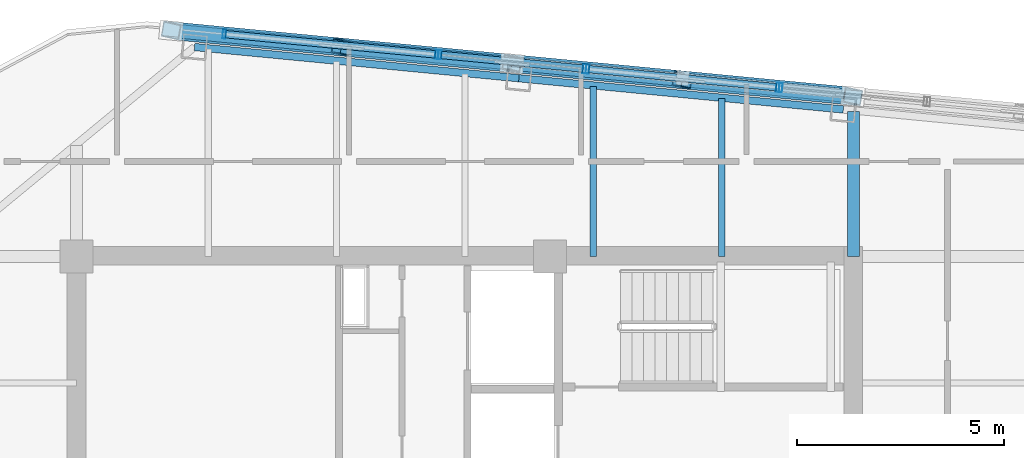
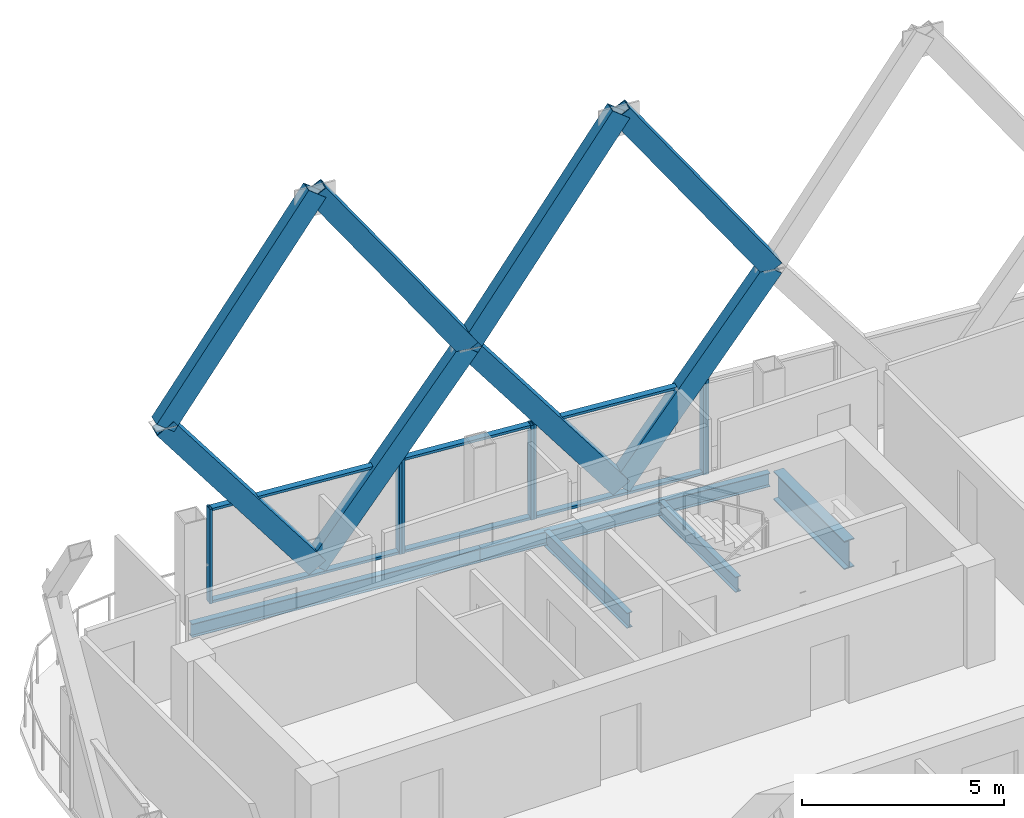
# One storey, part 16 of 25: 21 members, 5 beams, 4 elements without a shape of their own.
"""IFC4 building model written with IfcOpenShell, lengths in metres."""

from ifc_helpers import new_model, si_unit, direction, frame, origin, origin_2d, place, context, subcontext, project, spatial, hollow_rectangle, i_section, extrude, material, layer, layer_set, material_profile, profile_set, type_object, element, aggregate, save


model = new_model("IFC4")

# Units and contexts
model_context = context("Model", 3, precision=1e-05, world=origin(), true_north=direction((0.0, 1.0)))
body_context = subcontext(model_context, "Body", "Model", "MODEL_VIEW")
ifc_project = project(units=[si_unit("LENGTHUNIT", "METRE"), si_unit("AREAUNIT", "SQUARE_METRE"), si_unit("VOLUMEUNIT", "CUBIC_METRE"), si_unit("PLANEANGLEUNIT", "RADIAN"), si_unit("MASSUNIT", "GRAM", prefix="KILO")], contexts=[model_context])

# Site, building, storey
site_placement = place(None, origin())
site = spatial("IfcSite", under=ifc_project, at=site_placement, CompositionType="ELEMENT")
building_placement = place(site_placement, origin())
building = spatial("IfcBuilding", under=site, at=building_placement, Name="Qhalaya Broadcast Tower", CompositionType="ELEMENT")
storey_placement = place(building_placement, frame((0.0, 0.0, 255.050048828125)))
storey = spatial("IfcBuildingStorey", under=building, at=storey_placement, Name="L75", CompositionType="ELEMENT", Elevation=255.050048828125)

# Beams
ifc_material_1 = material(Name="Structural Steel ASTM A992 Grade 50", Category="steel")
ifc_material_profile_1 = material_profile(ifc_material_1, i_section(OverallWidth=0.154052734375, OverallDepth=0.458984375, WebThickness=0.009033203125, FlangeThickness=0.015380859375, at=origin_2d()), Name="W18X46")
ifc_profile_set_1 = profile_set([ifc_material_profile_1], Name="Structural Steel ASTM A992 Grade 50")
beam_type_1 = type_object("IfcBeamType", Name="Composite Floor Joist J04", PredefinedType="JOIST", material=ifc_profile_set_1)
beam_1_placement = place(storey_placement, frame((3.10009765625, 9.949951171875, -0.41943359375), z_axis=(0.0, 1.0, 0.0), x_axis=(-1.0, 0.0, 0.0)))
element("IfcBeam", 1, at=beam_1_placement, inside=storey, type_object=beam_type_1, Name="L75 J04 L75-JNN4-1", PredefinedType="JOIST", context=body_context, shape_type="SweptSolid", body=[
    extrude(i_section(OverallWidth=0.154052734375, OverallDepth=0.458984375, WebThickness=0.009033203125, FlangeThickness=0.015380859375, at=origin_2d()), origin(), (0.0, 0.0, 1.0), 4.11328125),
])
beam_2_placement = place(storey_placement, frame((6.199951171875, 9.949951171875, -0.41943359375), z_axis=(0.0, 1.0, 0.0), x_axis=(-1.0, 0.0, 0.0)))
element("IfcBeam", 2, at=beam_2_placement, inside=storey, type_object=beam_type_1, Name="L75 J04 L75-JNN5-1", PredefinedType="JOIST", context=body_context, shape_type="SweptSolid", body=[
    extrude(i_section(OverallWidth=0.154052734375, OverallDepth=0.458984375, WebThickness=0.009033203125, FlangeThickness=0.015380859375, at=origin_2d()), origin(), (0.0, 0.0, 1.0), 3.814697265625),
])

# Members
ifc_material_2 = material(Name="Structural Steel ASTM A572 Grade 50", Category="steel")
ifc_material_profile_2 = material_profile(ifc_material_2, hollow_rectangle(XDim=0.3798828125, YDim=0.550048828125, WallThickness=0.02490234375, at=origin_2d()), Name="BOX 380x550x25")
ifc_profile_set_2 = profile_set([ifc_material_profile_2], Name="Structural Steel ASTM A572 Grade 50")
member_type_1 = type_object("IfcMemberType", Name="Exoskeleton Diamond Diagonal Upper EX4", PredefinedType="BRACE", material=ifc_profile_set_2)
for number, where, z_axis, x_axis, name in (
    (3, (5.25, 14.218017578125, 0.35986328125), (0.605362942159, -0.058301925892, 0.793811434597), (0.171157163881, 0.983517925101, -0.058289932722), "B6 Exoskeleton Diamond Brace N2-D1"),
    (4, (5.25, 14.218017578125, 0.35986328125), (-0.605386966932, 0.058264858504, 0.793795834288), (-0.171092283677, -0.983529098038, -0.058291884324), "B6 Exoskeleton Diamond Brace N2-D2"),
):
    element("IfcMember", number, at=place(storey_placement, frame(where, z_axis=z_axis, x_axis=x_axis)), inside=storey, type_object=member_type_1, Name=name, PredefinedType="BRACE", context=body_context, shape_type="SweptSolid", body=[
        extrude(hollow_rectangle(XDim=0.3798828125, YDim=0.550048828125, WallThickness=0.02490234375, at=origin_2d()), origin(), (0.0, 0.0, 1.0), 6.79638671875),
    ])
for number, where, z_axis, x_axis, name in (
    (5, (9.3642578125, 13.82177734375, 5.7548828125), (-0.572753444041, 0.055161336321, 0.817869622443), (-0.173452418829, -0.983296871293, -0.055149989195), "B6 Exoskeleton Diamond Brace N2-D3"),
    (6, (1.135498046875, 14.614013671875, 5.7548828125), (0.572777354699, -0.055126379239, 0.81785523429), (0.173387668513, 0.983308181038, -0.055151949294), "B6 Exoskeleton Diamond Brace N2-D4"),
):
    element("IfcMember", number, at=place(storey_placement, frame(where, z_axis=z_axis, x_axis=x_axis)), inside=storey, type_object=member_type_1, Name=name, PredefinedType="BRACE", context=body_context, shape_type="SweptSolid", body=[
        extrude(hollow_rectangle(XDim=0.3798828125, YDim=0.550048828125, WallThickness=0.02490234375, at=origin_2d()), origin(), (0.0, 0.0, 1.0), 7.183349609375),
    ])
for number, where, z_axis, x_axis, name in (
    (7, (-2.978759765625, 15.01025390625, 0.35986328125), (0.605362942159, -0.058301925892, 0.793811434597), (0.171157163881, 0.983517925101, -0.058289932722), "B6 Exoskeleton Diamond Brace N3-D1"),
    (8, (-2.978759765625, 15.01025390625, 0.35986328125), (-0.605362942159, 0.058301925892, 0.793811434597), (-0.171157163881, -0.983517925101, -0.058289932722), "B6 Exoskeleton Diamond Brace N3-D2"),
):
    element("IfcMember", number, at=place(storey_placement, frame(where, z_axis=z_axis, x_axis=x_axis)), inside=storey, type_object=member_type_1, Name=name, PredefinedType="BRACE", context=body_context, shape_type="SweptSolid", body=[
        extrude(hollow_rectangle(XDim=0.3798828125, YDim=0.550048828125, WallThickness=0.02490234375, at=origin_2d()), origin(), (0.0, 0.0, 1.0), 6.79638671875),
    ])
for number, where, z_axis, x_axis, name in (
    (9, (1.135498046875, 14.614013671875, 5.7548828125), (-0.572753444041, 0.055161336321, 0.817869622443), (-0.173452418829, -0.983296871293, -0.055149989195), "B6 Exoskeleton Diamond Brace N3-D3"),
    (10, (-7.093017578125, 15.406494140625, 5.7548828125), (0.572753444041, -0.055161336321, 0.817869622443), (0.173452418829, 0.983296871293, -0.055149989195), "B6 Exoskeleton Diamond Brace N3-D4"),
):
    element("IfcMember", number, at=place(storey_placement, frame(where, z_axis=z_axis, x_axis=x_axis)), inside=storey, type_object=member_type_1, Name=name, PredefinedType="BRACE", context=body_context, shape_type="SweptSolid", body=[
        extrude(hollow_rectangle(XDim=0.3798828125, YDim=0.550048828125, WallThickness=0.02490234375, at=origin_2d()), origin(), (0.0, 0.0, 1.0), 7.183349609375),
    ])

# Curtain wall, member
ifc_material_3 = material(Name="Solar-Control Low-E Triple Glazing", Category="glass")
ifc_layer_1 = layer(ifc_material_3, 0.219970703125, Name="Solar-Control Low-E Triple Glazing")
ifc_layer_set_1 = layer_set([ifc_layer_1], Name="Solar-Control Low-E Triple Glazing")
curtain_wall_type_1 = type_object("IfcCurtainWallType", Name="High-Altitude Upper-Shaft Triple Low-E Curtain Wall CW-04", PredefinedType="NOTDEFINED", material=ifc_layer_set_1)
curtain_wall_1_placement = place(storey_placement, origin())
curtain_wall_1 = element("IfcCurtainWall", 11, at=curtain_wall_1_placement, inside=storey, type_object=curtain_wall_type_1, Name="L75 Unitised Curtain Wall L75-CW-N2", PredefinedType="NOTDEFINED")
ifc_material_4 = material(Name="Anodised Aluminium 6063-T6", Category="aluminium")
ifc_material_profile_3 = material_profile(ifc_material_4, hollow_rectangle(XDim=0.074951171875, YDim=0.219970703125, WallThickness=0.00390625, at=origin_2d()), Name="ALU-MUL 75x220x4")
ifc_profile_set_3 = profile_set([ifc_material_profile_3], Name="Anodised Aluminium 6063-T6")
member_type_2 = type_object("IfcMemberType", Name="Unitised Curtain-Wall Mullion M01", PredefinedType="MULLION", material=ifc_profile_set_3)
member_1_placement = place(storey_placement, frame((7.623291015625, 14.029541015625, 0.0), z_axis=(0.0, 0.0, 1.0), x_axis=(-0.995397049282, 0.095836915023, 0.0)))
member_1 = element("IfcMember", 12, at=member_1_placement, type_object=member_type_2, Name="CW-04 mullion 2", PredefinedType="MULLION", context=body_context, shape_type="SweptSolid", body=[
    extrude(hollow_rectangle(XDim=0.074951171875, YDim=0.219970703125, WallThickness=0.00390625, at=origin_2d()), origin(), (0.0, 0.0, 1.0), 2.85986328125),
])
aggregate(curtain_wall_1, [member_1])

# Curtain wall, members
ifc_material_5 = material(Name="Fired Architectural Terracotta", Category="masonry")
ifc_layer_2 = layer(ifc_material_5, 0.219970703125, Name="Fired Architectural Terracotta")
ifc_layer_set_2 = layer_set([ifc_layer_2], Name="Fired Architectural Terracotta")
curtain_wall_type_2 = type_object("IfcCurtainWallType", Name="Block-Cap Unitised Terracotta Spandrel Wall CW-07", PredefinedType="NOTDEFINED", material=ifc_layer_set_2)
curtain_wall_2_placement = place(storey_placement, origin())
curtain_wall_2 = element("IfcCurtainWall", 13, at=curtain_wall_2_placement, inside=storey, type_object=curtain_wall_type_2, Name="L75 Unitised Curtain Wall L75-CW-N3", PredefinedType="NOTDEFINED")
member_2_placement = place(storey_placement, frame((7.548583984375, 14.03662109375, 0.0), z_axis=(0.0, 0.0, 1.0), x_axis=(-0.995394786046, 0.095860418903, 0.0)))
member_2 = element("IfcMember", 14, at=member_2_placement, type_object=member_type_2, Name="CW-07 mullion 1", PredefinedType="MULLION", context=body_context, shape_type="SweptSolid", body=[
    extrude(hollow_rectangle(XDim=0.074951171875, YDim=0.219970703125, WallThickness=0.00390625, at=origin_2d()), origin(), (0.0, 0.0, 1.0), 2.85986328125),
])
member_3_placement = place(storey_placement, frame((2.958740234375, 14.478759765625, 0.0), z_axis=(0.0, 0.0, 1.0), x_axis=(-0.995394786046, 0.095860418903, 0.0)))
member_3 = element("IfcMember", 15, at=member_3_placement, type_object=member_type_2, Name="CW-07 mullion 2", PredefinedType="MULLION", context=body_context, shape_type="SweptSolid", body=[
    extrude(hollow_rectangle(XDim=0.074951171875, YDim=0.219970703125, WallThickness=0.00390625, at=origin_2d()), origin(), (0.0, 0.0, 1.0), 2.85986328125),
])

curtain_wall_3_placement = place(storey_placement, origin())
curtain_wall_3 = element("IfcCurtainWall", 16, at=curtain_wall_3_placement, inside=storey, type_object=curtain_wall_type_1, Name="L75 Unitised Curtain Wall L75-CW-N4", PredefinedType="NOTDEFINED")
member_4_placement = place(storey_placement, frame((2.88427734375, 14.48583984375, 0.0), z_axis=(0.0, 0.0, 1.0), x_axis=(-0.995396792791, 0.095839578992, 0.0)))
member_4 = element("IfcMember", 17, at=member_4_placement, type_object=member_type_2, Name="CW-04 mullion 1", PredefinedType="MULLION", context=body_context, shape_type="SweptSolid", body=[
    extrude(hollow_rectangle(XDim=0.074951171875, YDim=0.219970703125, WallThickness=0.00390625, at=origin_2d()), origin(), (0.0, 0.0, 1.0), 2.85986328125),
])
member_5_placement = place(storey_placement, frame((-0.605712890625, 14.822021484375, 0.0), z_axis=(0.0, 0.0, 1.0), x_axis=(-0.995396792791, 0.095839578992, 0.0)))
member_5 = element("IfcMember", 18, at=member_5_placement, type_object=member_type_2, Name="CW-04 mullion 2", PredefinedType="MULLION", context=body_context, shape_type="SweptSolid", body=[
    extrude(hollow_rectangle(XDim=0.074951171875, YDim=0.219970703125, WallThickness=0.00390625, at=origin_2d()), origin(), (0.0, 0.0, 1.0), 2.85986328125),
])

curtain_wall_4_placement = place(storey_placement, origin())
curtain_wall_4 = element("IfcCurtainWall", 19, at=curtain_wall_4_placement, inside=storey, type_object=curtain_wall_type_2, Name="L75 Unitised Curtain Wall L75-CW-N5", PredefinedType="NOTDEFINED")
member_6_placement = place(storey_placement, frame((-0.680419921875, 14.8291015625, 0.0), z_axis=(0.0, 0.0, 1.0), x_axis=(-0.995395942778, 0.095848406879, 0.0)))
member_6 = element("IfcMember", 20, at=member_6_placement, type_object=member_type_2, Name="CW-07 mullion 1", PredefinedType="MULLION", context=body_context, shape_type="SweptSolid", body=[
    extrude(hollow_rectangle(XDim=0.074951171875, YDim=0.219970703125, WallThickness=0.00390625, at=origin_2d()), origin(), (0.0, 0.0, 1.0), 2.85986328125),
])
member_7_placement = place(storey_placement, frame((-5.8076171875, 15.32275390625, 0.0), z_axis=(0.0, 0.0, 1.0), x_axis=(-0.995395942778, 0.095848406879, 0.0)))
member_7 = element("IfcMember", 21, at=member_7_placement, type_object=member_type_2, Name="CW-07 mullion 2", PredefinedType="MULLION", context=body_context, shape_type="SweptSolid", body=[
    extrude(hollow_rectangle(XDim=0.074951171875, YDim=0.219970703125, WallThickness=0.00390625, at=origin_2d()), origin(), (0.0, 0.0, 1.0), 2.85986328125),
])

# Member
ifc_material_profile_4 = material_profile(ifc_material_4, hollow_rectangle(XDim=0.074951171875, YDim=0.179931640625, WallThickness=0.00390625, at=origin_2d()), Name="ALU-TRN 75x180x4")
ifc_profile_set_4 = profile_set([ifc_material_profile_4], Name="Anodised Aluminium 6063-T6")
member_type_3 = type_object("IfcMemberType", Name="Unitised Curtain-Wall Transom T01", PredefinedType="USERDEFINED", material=ifc_profile_set_4)
member_8_placement = place(storey_placement, frame((7.51123046875, 14.040283203125, 0.037353515625), z_axis=(-0.995395015501, 0.095858036261, 0.0), x_axis=(0.0, 0.0, 1.0)))
member_8 = element("IfcMember", 22, at=member_8_placement, type_object=member_type_3, Name="CW-07 transom 1.1", ObjectType="TRANSOM", PredefinedType="USERDEFINED", context=body_context, shape_type="SweptSolid", body=[
    extrude(hollow_rectangle(XDim=0.074951171875, YDim=0.179931640625, WallThickness=0.00390625, at=origin_2d()), origin(), (0.0, 0.0, 1.0), 4.5361328125),
])

member_9_placement = place(storey_placement, frame((7.51123046875, 14.040283203125, 2.822509765625), z_axis=(-0.995395015501, 0.095858036261, 0.0), x_axis=(0.0, 0.0, 1.0)))
member_9 = element("IfcMember", 23, at=member_9_placement, type_object=member_type_3, Name="CW-07 transom 1.2", ObjectType="TRANSOM", PredefinedType="USERDEFINED", context=body_context, shape_type="SweptSolid", body=[
    extrude(hollow_rectangle(XDim=0.074951171875, YDim=0.179931640625, WallThickness=0.00390625, at=origin_2d()), origin(), (0.0, 0.0, 1.0), 4.5361328125),
])

aggregate(curtain_wall_2, [member_2, member_3, member_8, member_9])

member_10_placement = place(storey_placement, frame((2.846923828125, 14.489501953125, 0.037353515625), z_axis=(-0.995396113477, 0.095846634131, 0.0), x_axis=(0.0, 0.0, 1.0)))
member_10 = element("IfcMember", 24, at=member_10_placement, type_object=member_type_3, Name="CW-04 transom 1.1", ObjectType="TRANSOM", PredefinedType="USERDEFINED", context=body_context, shape_type="SweptSolid", body=[
    extrude(hollow_rectangle(XDim=0.074951171875, YDim=0.179931640625, WallThickness=0.00390625, at=origin_2d()), origin(), (0.0, 0.0, 1.0), 3.43115234375),
])

member_11_placement = place(storey_placement, frame((2.846923828125, 14.489501953125, 2.822509765625), z_axis=(-0.995396113477, 0.095846634131, 0.0), x_axis=(0.0, 0.0, 1.0)))
member_11 = element("IfcMember", 25, at=member_11_placement, type_object=member_type_3, Name="CW-04 transom 1.2", ObjectType="TRANSOM", PredefinedType="USERDEFINED", context=body_context, shape_type="SweptSolid", body=[
    extrude(hollow_rectangle(XDim=0.074951171875, YDim=0.179931640625, WallThickness=0.00390625, at=origin_2d()), origin(), (0.0, 0.0, 1.0), 3.43115234375),
])

aggregate(curtain_wall_3, [member_4, member_5, member_10, member_11])

member_12_placement = place(storey_placement, frame((-0.7177734375, 14.832763671875, 0.037353515625), z_axis=(-0.995399418478, 0.095812304499, 0.0), x_axis=(0.0, 0.0, 1.0)))
member_12 = element("IfcMember", 26, at=member_12_placement, type_object=member_type_3, Name="CW-07 transom 1.1", ObjectType="TRANSOM", PredefinedType="USERDEFINED", context=body_context, shape_type="SweptSolid", body=[
    extrude(hollow_rectangle(XDim=0.074951171875, YDim=0.179931640625, WallThickness=0.00390625, at=origin_2d()), origin(), (0.0, 0.0, 1.0), 5.075927734375),
])

member_13_placement = place(storey_placement, frame((-0.7177734375, 14.832763671875, 2.822509765625), z_axis=(-0.995399418478, 0.095812304499, 0.0), x_axis=(0.0, 0.0, 1.0)))
member_13 = element("IfcMember", 27, at=member_13_placement, type_object=member_type_3, Name="CW-07 transom 1.2", ObjectType="TRANSOM", PredefinedType="USERDEFINED", context=body_context, shape_type="SweptSolid", body=[
    extrude(hollow_rectangle(XDim=0.074951171875, YDim=0.179931640625, WallThickness=0.00390625, at=origin_2d()), origin(), (0.0, 0.0, 1.0), 5.075927734375),
])

aggregate(curtain_wall_4, [member_6, member_7, member_12, member_13])

# Beams
ifc_material_profile_5 = material_profile(ifc_material_1, i_section(OverallWidth=0.2919921875, OverallDepth=0.85888671875, WebThickness=0.01708984375, FlangeThickness=0.031005859375, at=origin_2d()), Name="W33X169")
ifc_profile_set_5 = profile_set([ifc_material_profile_5], Name="Structural Steel ASTM A992 Grade 50")
beam_type_2 = type_object("IfcBeamType", Name="Upper Block Primary Girder PG4", PredefinedType="USERDEFINED", material=ifc_profile_set_5)
beam_3_placement = place(storey_placement, frame((9.375, 9.949951171875, -0.61962890625), z_axis=(0.0, 1.0, 0.0), x_axis=(-1.0, 0.0, 0.0)))
element("IfcBeam", 28, at=beam_3_placement, inside=storey, type_object=beam_type_2, Name="L75 PG4 L75-PGXN2-1", ObjectType="GIRDER", PredefinedType="USERDEFINED", context=body_context, shape_type="SweptSolid", body=[
    extrude(i_section(OverallWidth=0.2919921875, OverallDepth=0.85888671875, WebThickness=0.01708984375, FlangeThickness=0.031005859375, at=origin_2d()), origin(), (0.0, 0.0, 1.0), 3.509033203125),
])
ifc_material_profile_6 = material_profile(ifc_material_1, i_section(OverallWidth=0.177978515625, OverallDepth=0.406005859375, WebThickness=0.0078125, FlangeThickness=0.0126953125, at=origin_2d()), Name="W16X40")
ifc_profile_set_6 = profile_set([ifc_material_profile_6], Name="Structural Steel ASTM A992 Grade 50")
beam_type_3 = type_object("IfcBeamType", Name="Upper Perimeter Spandrel Beam SP2", PredefinedType="SPANDREL", material=ifc_profile_set_6)
beam_4_placement = place(storey_placement, frame((9.132568359375, 13.50244140625, -0.39306640625), z_axis=(-0.995397308407, 0.095834223619, 0.0), x_axis=(-0.095834223619, -0.995397308407, 0.0)))
element("IfcBeam", 29, at=beam_4_placement, inside=storey, type_object=beam_type_3, Name="L75 SP2 L75-SPR-10", PredefinedType="SPANDREL", context=body_context, shape_type="SweptSolid", body=[
    extrude(i_section(OverallWidth=0.177978515625, OverallDepth=0.406005859375, WebThickness=0.0078125, FlangeThickness=0.0126953125, at=origin_2d()), origin(), (0.0, 0.0, 1.0), 7.86669921875),
])
beam_5_placement = place(storey_placement, frame((1.302001953125, 14.25634765625, -0.39306640625), z_axis=(-0.995394062251, 0.095867934346, 0.0), x_axis=(-0.095867934346, -0.995394062251, 0.0)))
element("IfcBeam", 30, at=beam_5_placement, inside=storey, type_object=beam_type_3, Name="L75 SP2 L75-SPR-11", PredefinedType="SPANDREL", context=body_context, shape_type="SweptSolid", body=[
    extrude(i_section(OverallWidth=0.177978515625, OverallDepth=0.406005859375, WebThickness=0.0078125, FlangeThickness=0.0126953125, at=origin_2d()), origin(), (0.0, 0.0, 1.0), 7.866455078125),
])

save(model, "model.ifc")
